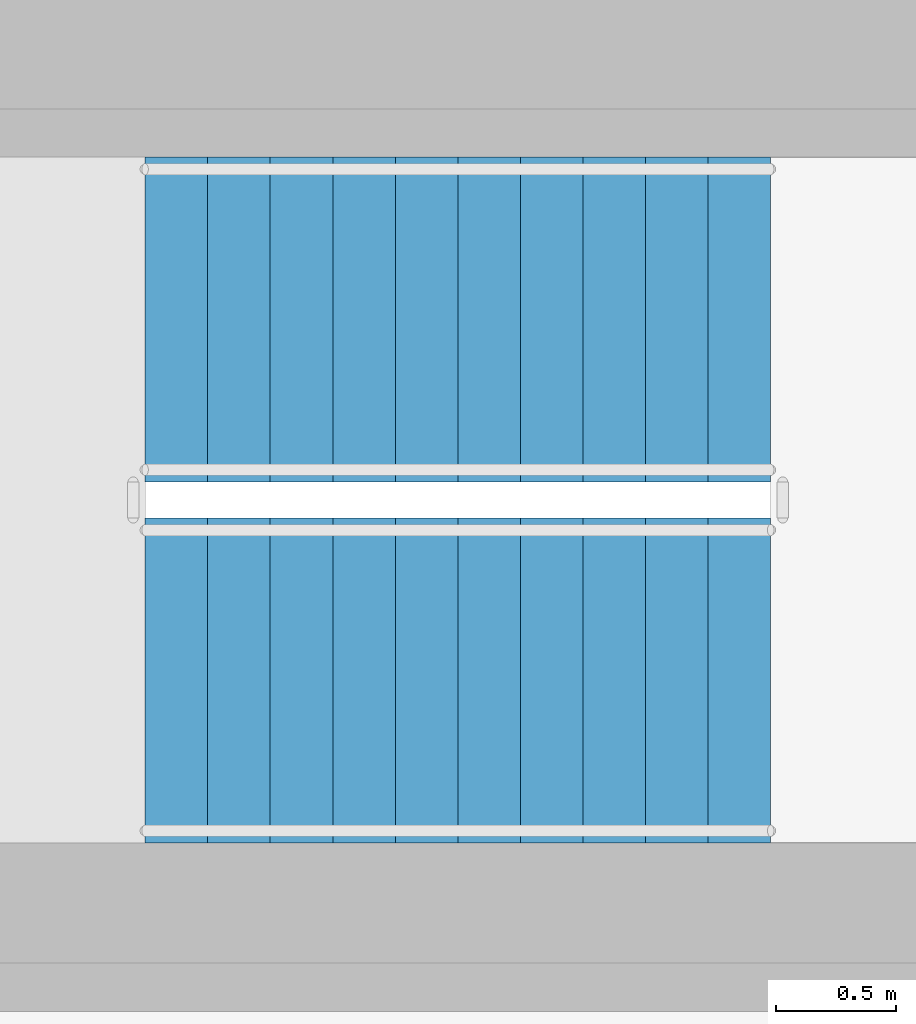
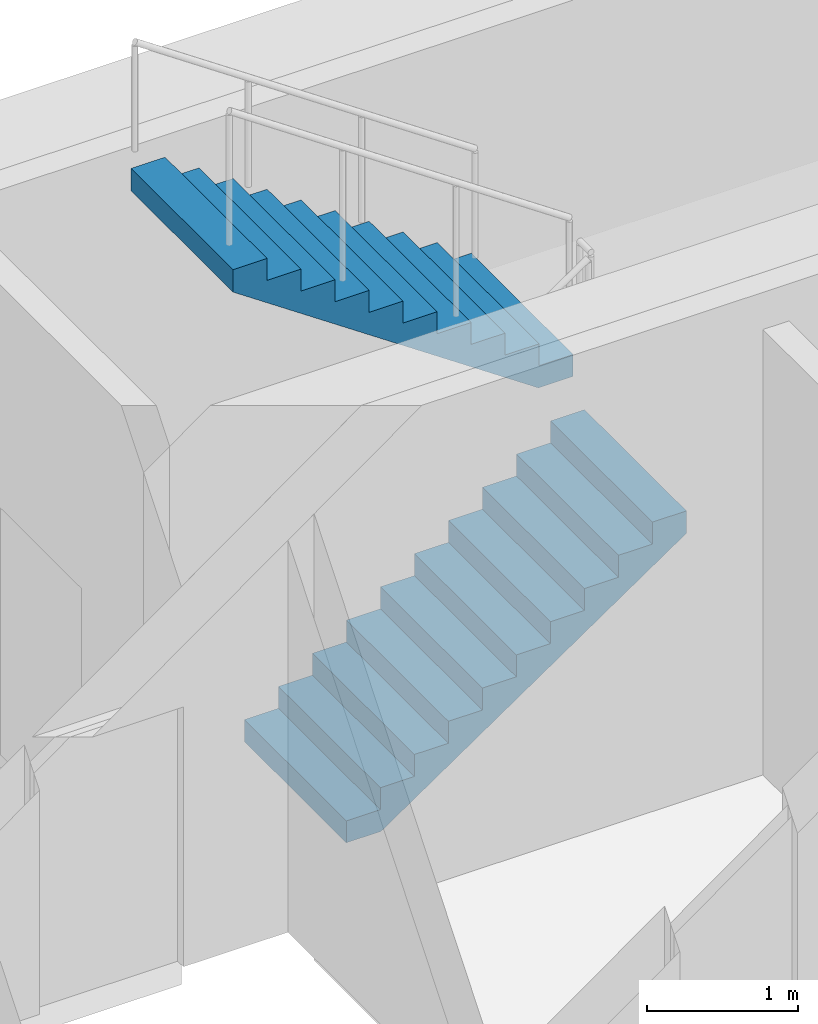
# One storey, part 6 of 8: 2 stair flights, 1 element without a shape of its own.
"""IFC4 building model written with IfcOpenShell, lengths in metres."""

from ifc_helpers import new_model, si_unit, direction, frame, origin, place, context, subcontext, project, spatial, polyline, outline, extrude, material, layer, layer_set, type_object, element, aggregate, save


model = new_model("IFC4")

# Units and contexts
model_context = context("Model", 3, precision=1e-05, world=origin(), true_north=direction((0.0, 1.0)))
body_context = subcontext(model_context, "Body", "Model", "MODEL_VIEW")
ifc_project = project(units=[si_unit("LENGTHUNIT", "METRE"), si_unit("AREAUNIT", "SQUARE_METRE"), si_unit("VOLUMEUNIT", "CUBIC_METRE"), si_unit("PLANEANGLEUNIT", "RADIAN"), si_unit("MASSUNIT", "GRAM", prefix="KILO")], contexts=[model_context])

# Site, building, storey
site_placement = place(None, origin())
site = spatial("IfcSite", under=ifc_project, at=site_placement, CompositionType="ELEMENT")
building_placement = place(site_placement, origin())
building = spatial("IfcBuilding", under=site, at=building_placement, Name="White Candle Pilgrim Tower", CompositionType="ELEMENT")
storey_placement = place(building_placement, frame((0.0, 0.0, 287.300048828125)))
storey = spatial("IfcBuildingStorey", under=building, at=storey_placement, Name="L68", CompositionType="ELEMENT", Elevation=287.300048828125)

# Stair, stair flights
ifc_material = material(Name="Concrete C40/50", Category="concrete")
stair_type = type_object("IfcStairType", Name="Exit stair 3 flight width 1350 mm", PredefinedType="HALF_TURN_STAIR", material=ifc_material)
stair_placement = place(storey_placement, origin())
stair = element("IfcStair", 1, at=stair_placement, inside=storey, type_object=stair_type, Name="L68 stair 3", PredefinedType="NOTDEFINED")
ifc_layer = layer(ifc_material, 0.14990234375)
ifc_layer_set = layer_set([ifc_layer], Name="Stair flight Concrete C40/50")
stair_flight_type = type_object("IfcStairFlightType", Name="Stair flight Concrete C40/50", PredefinedType="STRAIGHT", material=ifc_layer_set)
stair_flight_1_placement = place(storey_placement, frame((69.39990234375, 84.925048828125, 0.0), z_axis=(0.0, 0.0, 1.0), x_axis=(1.0, 0.0, 0.0)))
stair_flight_1 = element("IfcStairFlight", 2, at=stair_flight_1_placement, type_object=stair_flight_type, Name="ST3 flight 1", NumberOfRisers=11, NumberOfTreads=10, PredefinedType="NOTDEFINED", RiserHeight=0.177272727, TreadLength=0.26, context=body_context, shape_type="SweptSolid", body=[
    extrude(outline(polyline([(0.0, 0.0), (0.0, 0.17724609375), (0.260009765625, 0.17724609375), (0.260009765625, 0.3544921875), (0.52001953125, 0.3544921875), (0.52001953125, 0.53173828125), (0.780029296875, 0.53173828125), (0.780029296875, 0.708984375), (1.0400390625, 0.708984375), (1.0400390625, 0.886474609375), (1.300048828125, 0.886474609375), (1.300048828125, 1.063720703125), (1.56005859375, 1.063720703125), (1.56005859375, 1.240966796875), (1.820068359375, 1.240966796875), (1.820068359375, 1.418212890625), (2.080078125, 1.418212890625), (2.080078125, 1.595458984375), (2.340087890625, 1.595458984375), (2.340087890625, 1.772705078125), (2.60009765625, 1.772705078125), (2.60009765625, 1.949951171875), (2.60009765625, 1.59130859375), (0.26611328125, 0.0), (0.0, 0.0)])), frame((0.0, 0.675048828125, 0.0), z_axis=(0.0, -1.0, 0.0), x_axis=(1.0, 0.0, 0.0)), (0.0, 0.0, 1.0), 1.35009765625),
])
stair_flight_2_placement = place(storey_placement, frame((72.0, 86.425048828125, 1.949951171875), z_axis=(0.0, 0.0, 1.0), x_axis=(-1.0, 0.0, 0.0)))
stair_flight_2 = element("IfcStairFlight", 3, at=stair_flight_2_placement, type_object=stair_flight_type, Name="ST3 flight 2", NumberOfRisers=11, NumberOfTreads=10, PredefinedType="NOTDEFINED", RiserHeight=0.177272727, TreadLength=0.26, context=body_context, shape_type="SweptSolid", body=[
    extrude(outline(polyline([(0.0, 0.0), (0.0, 0.17724609375), (0.260009765625, 0.17724609375), (0.260009765625, 0.3544921875), (0.52001953125, 0.3544921875), (0.52001953125, 0.53173828125), (0.780029296875, 0.53173828125), (0.780029296875, 0.708984375), (1.0400390625, 0.708984375), (1.0400390625, 0.886474609375), (1.300048828125, 0.886474609375), (1.300048828125, 1.063720703125), (1.56005859375, 1.063720703125), (1.56005859375, 1.240966796875), (1.820068359375, 1.240966796875), (1.820068359375, 1.418212890625), (2.080078125, 1.418212890625), (2.080078125, 1.595458984375), (2.340087890625, 1.595458984375), (2.340087890625, 1.772705078125), (2.60009765625, 1.772705078125), (2.60009765625, 1.949951171875), (2.60009765625, 1.59130859375), (0.26611328125, 0.0), (0.0, 0.0)])), frame((0.0, 0.675048828125, 0.0), z_axis=(0.0, -1.0, 0.0), x_axis=(1.0, 0.0, 0.0)), (0.0, 0.0, 1.0), 1.35009765625),
])
aggregate(stair, [stair_flight_1, stair_flight_2])

save(model, "model.ifc")
